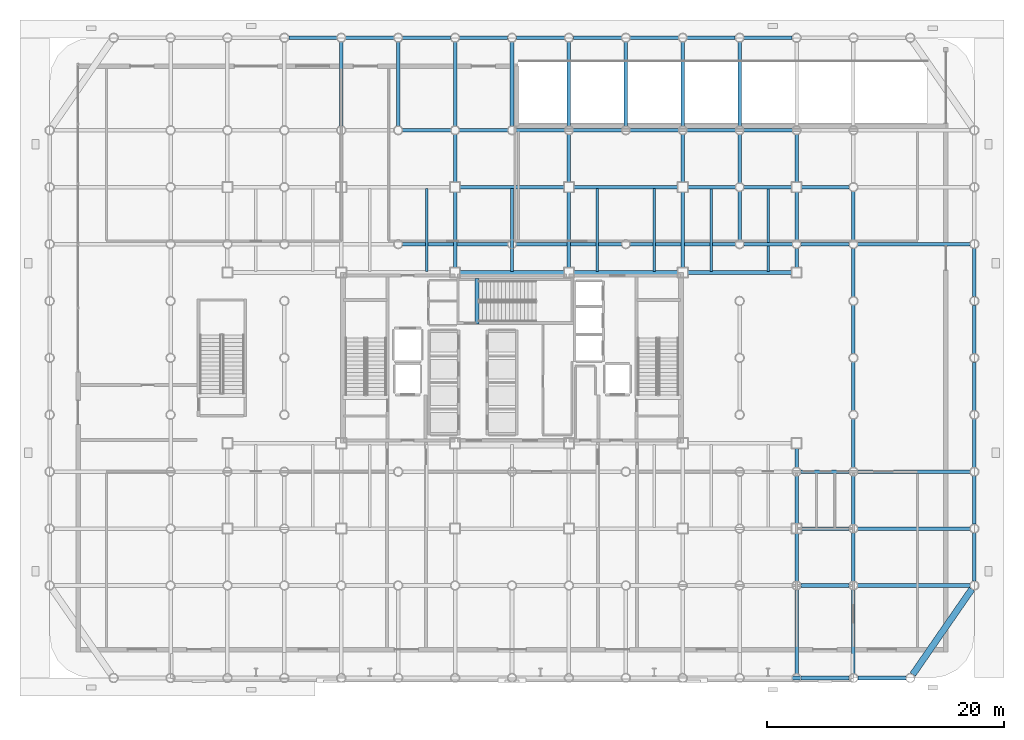
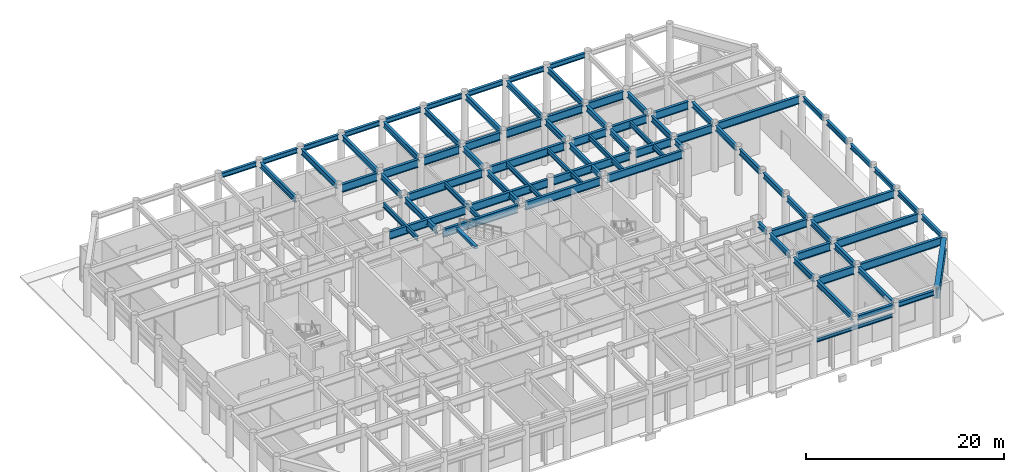
# One storey, part 13 of 23: 84 beams.
"""IFC4 building model written with IfcOpenShell, lengths in metres."""

from ifc_helpers import new_model, si_unit, direction, frame, origin, origin_2d, place, context, subcontext, project, spatial, rectangle, i_section, extrude, material, material_profile, profile_set, type_object, element, save


model = new_model("IFC4")

# Units and contexts
model_context = context("Model", 3, precision=1e-05, world=origin(), true_north=direction((0.0, 1.0)))
body_context = subcontext(model_context, "Body", "Model", "MODEL_VIEW")
ifc_project = project(units=[si_unit("LENGTHUNIT", "METRE"), si_unit("AREAUNIT", "SQUARE_METRE"), si_unit("VOLUMEUNIT", "CUBIC_METRE"), si_unit("PLANEANGLEUNIT", "RADIAN"), si_unit("MASSUNIT", "GRAM", prefix="KILO")], contexts=[model_context])

# Site, building, storey
site_placement = place(None, origin())
site = spatial("IfcSite", under=ifc_project, at=site_placement, CompositionType="ELEMENT")
building_placement = place(site_placement, origin())
building = spatial("IfcBuilding", under=site, at=building_placement, Name="Kallvorn Hotel Tower", CompositionType="ELEMENT")
storey_placement = place(building_placement, origin())
storey = spatial("IfcBuildingStorey", under=building, at=storey_placement, Name="L00", CompositionType="ELEMENT", Elevation=0.0)

# Beams
ifc_material_1 = material(Name="Structural steel S355JR", Category="steel")
ifc_material_profile_1 = material_profile(ifc_material_1, i_section(OverallWidth=0.300048828125, OverallDepth=1.0, WebThickness=0.01904296875, FlangeThickness=0.035888671875, at=origin_2d()), Name="HE 1000 B")
ifc_profile_set_1 = profile_set([ifc_material_profile_1], Name="Structural steel S355JR")
beam_type_1 = type_object("IfcBeamType", Name="BM_HE1000B", PredefinedType="BEAM", material=ifc_profile_set_1)
beam_1_placement = place(storey_placement, frame((24.35595703125, -19.199951171875, 5.25), z_axis=(1.0, 0.0, 0.0), x_axis=(0.0, 1.0, 0.0)))
element("IfcBeam", 1, at=beam_1_placement, inside=storey, type_object=beam_type_1, Name="L01 Primary X-Girder 13", PredefinedType="BEAM", context=body_context, shape_type="SweptSolid", body=[
    extrude(i_section(OverallWidth=0.300048828125, OverallDepth=1.0, WebThickness=0.01904296875, FlangeThickness=0.035888671875, at=origin_2d()), origin(), (0.0, 0.0, 1.0), 4.088134765625),
])
beam_2_placement = place(storey_placement, frame((29.156005859375, -19.199951171875, 5.25), z_axis=(1.0, 0.0, 0.0), x_axis=(0.0, 1.0, 0.0)))
element("IfcBeam", 2, at=beam_2_placement, inside=storey, type_object=beam_type_1, Name="L01 Primary X-Girder 14", PredefinedType="BEAM", context=body_context, shape_type="SweptSolid", body=[
    extrude(i_section(OverallWidth=0.300048828125, OverallDepth=1.0, WebThickness=0.01904296875, FlangeThickness=0.035888671875, at=origin_2d()), origin(), (0.0, 0.0, 1.0), 9.488037109375),
])
beam_3_placement = place(storey_placement, frame((24.425048828125, -14.39990234375, 5.25), z_axis=(1.0, 0.0, 0.0), x_axis=(0.0, 1.0, 0.0)))
element("IfcBeam", 3, at=beam_3_placement, inside=storey, type_object=beam_type_1, Name="L01 Primary X-Girder 24", PredefinedType="BEAM", context=body_context, shape_type="SweptSolid", body=[
    extrude(i_section(OverallWidth=0.300048828125, OverallDepth=1.0, WebThickness=0.01904296875, FlangeThickness=0.035888671875, at=origin_2d()), origin(), (0.0, 0.0, 1.0), 4.01904296875),
])
beam_4_placement = place(storey_placement, frame((29.156005859375, -14.39990234375, 5.25), z_axis=(1.0, 0.0, 0.0), x_axis=(0.0, 1.0, 0.0)))
element("IfcBeam", 4, at=beam_4_placement, inside=storey, type_object=beam_type_1, Name="L01 Primary X-Girder 25", PredefinedType="BEAM", context=body_context, shape_type="SweptSolid", body=[
    extrude(i_section(OverallWidth=0.300048828125, OverallDepth=1.0, WebThickness=0.01904296875, FlangeThickness=0.035888671875, at=origin_2d()), origin(), (0.0, 0.0, 1.0), 9.488037109375),
])
beam_5_placement = place(storey_placement, frame((24.35595703125, -9.60009765625, 5.25), z_axis=(1.0, 0.0, 0.0), x_axis=(0.0, 1.0, 0.0)))
element("IfcBeam", 5, at=beam_5_placement, inside=storey, type_object=beam_type_1, Name="L01 Primary X-Girder 34", PredefinedType="BEAM", context=body_context, shape_type="SweptSolid", body=[
    extrude(i_section(OverallWidth=0.300048828125, OverallDepth=1.0, WebThickness=0.01904296875, FlangeThickness=0.035888671875, at=origin_2d()), origin(), (0.0, 0.0, 1.0), 4.088134765625),
])
beam_6_placement = place(storey_placement, frame((29.156005859375, -9.60009765625, 5.25), z_axis=(1.0, 0.0, 0.0), x_axis=(0.0, 1.0, 0.0)))
element("IfcBeam", 6, at=beam_6_placement, inside=storey, type_object=beam_type_1, Name="L01 Primary X-Girder 35", PredefinedType="BEAM", context=body_context, shape_type="SweptSolid", body=[
    extrude(i_section(OverallWidth=0.300048828125, OverallDepth=1.0, WebThickness=0.01904296875, FlangeThickness=0.035888671875, at=origin_2d()), origin(), (0.0, 0.0, 1.0), 9.488037109375),
])
for number, where, z_axis, x_axis, name in (
    (7, (-4.375, 7.199951171875, 5.25), (1.0, 0.0, 0.0), (0.0, 1.0, 0.0), "L01 Primary X-Girder 42"),
    (8, (5.22509765625, 7.199951171875, 5.25), (1.0, 0.0, 0.0), (0.0, 1.0, 0.0), "L01 Primary X-Girder 43"),
    (9, (14.824951171875, 7.199951171875, 5.25), (1.0, 0.0, 0.0), (0.0, 1.0, 0.0), "L01 Primary X-Girder 44"),
):
    element("IfcBeam", number, at=place(storey_placement, frame(where, z_axis=z_axis, x_axis=x_axis)), inside=storey, type_object=beam_type_1, Name=name, PredefinedType="BEAM", context=body_context, shape_type="SweptSolid", body=[
        extrude(i_section(OverallWidth=0.300048828125, OverallDepth=1.0, WebThickness=0.01904296875, FlangeThickness=0.035888671875, at=origin_2d()), origin(), (0.0, 0.0, 1.0), 8.75),
    ])
for number, where, z_axis, x_axis, name in (
    (10, (-9.243896484375, 9.60009765625, 5.25), (1.0, 0.0, 0.0), (0.0, 1.0, 0.0), "L01 Primary X-Girder 49"),
    (11, (0.35595703125, 9.60009765625, 5.25), (1.0, 0.0, 0.0), (0.0, 1.0, 0.0), "L01 Primary X-Girder 50"),
    (12, (9.9560546875, 9.60009765625, 5.25), (1.0, 0.0, 0.0), (0.0, 1.0, 0.0), "L01 Primary X-Girder 51"),
):
    element("IfcBeam", number, at=place(storey_placement, frame(where, z_axis=z_axis, x_axis=x_axis)), inside=storey, type_object=beam_type_1, Name=name, PredefinedType="BEAM", context=body_context, shape_type="SweptSolid", body=[
        extrude(i_section(OverallWidth=0.300048828125, OverallDepth=1.0, WebThickness=0.01904296875, FlangeThickness=0.035888671875, at=origin_2d()), origin(), (0.0, 0.0, 1.0), 8.887939453125),
    ])
for number, where, z_axis, x_axis, name in (
    (13, (19.555908203125, 9.60009765625, 5.25), (1.0, 0.0, 0.0), (0.0, 1.0, 0.0), "L01 Primary X-Girder 52"),
    (14, (24.35595703125, 9.60009765625, 5.25), (1.0, 0.0, 0.0), (0.0, 1.0, 0.0), "L01 Primary X-Girder 53"),
):
    element("IfcBeam", number, at=place(storey_placement, frame(where, z_axis=z_axis, x_axis=x_axis)), inside=storey, type_object=beam_type_1, Name=name, PredefinedType="BEAM", context=body_context, shape_type="SweptSolid", body=[
        extrude(i_section(OverallWidth=0.300048828125, OverallDepth=1.0, WebThickness=0.01904296875, FlangeThickness=0.035888671875, at=origin_2d()), origin(), (0.0, 0.0, 1.0), 4.088134765625),
    ])
beam_7_placement = place(storey_placement, frame((29.156005859375, 9.60009765625, 5.25), z_axis=(1.0, 0.0, 0.0), x_axis=(0.0, 1.0, 0.0)))
element("IfcBeam", 15, at=beam_7_placement, inside=storey, type_object=beam_type_1, Name="L01 Primary X-Girder 54", PredefinedType="BEAM", context=body_context, shape_type="SweptSolid", body=[
    extrude(i_section(OverallWidth=0.300048828125, OverallDepth=1.0, WebThickness=0.01904296875, FlangeThickness=0.035888671875, at=origin_2d()), origin(), (0.0, 0.0, 1.0), 9.488037109375),
])
for number, where, z_axis, x_axis, name in (
    (16, (-4.375, 14.39990234375, 5.25), (1.0, 0.0, 0.0), (0.0, 1.0, 0.0), "L01 Primary X-Girder 60"),
    (17, (5.22509765625, 14.39990234375, 5.25), (1.0, 0.0, 0.0), (0.0, 1.0, 0.0), "L01 Primary X-Girder 61"),
):
    element("IfcBeam", number, at=place(storey_placement, frame(where, z_axis=z_axis, x_axis=x_axis)), inside=storey, type_object=beam_type_1, Name=name, PredefinedType="BEAM", context=body_context, shape_type="SweptSolid", body=[
        extrude(i_section(OverallWidth=0.300048828125, OverallDepth=1.0, WebThickness=0.01904296875, FlangeThickness=0.035888671875, at=origin_2d()), origin(), (0.0, 0.0, 1.0), 8.75),
    ])
for number, where, z_axis, x_axis, name in (
    (18, (14.824951171875, 14.39990234375, 5.25), (1.0, 0.0, 0.0), (0.0, 1.0, 0.0), "L01 Primary X-Girder 62"),
    (19, (19.555908203125, 14.39990234375, 5.25), (1.0, 0.0, 0.0), (0.0, 1.0, 0.0), "L01 Primary X-Girder 63"),
    (20, (24.425048828125, 14.39990234375, 5.25), (1.0, 0.0, 0.0), (0.0, 1.0, 0.0), "L01 Primary X-Girder 64"),
):
    element("IfcBeam", number, at=place(storey_placement, frame(where, z_axis=z_axis, x_axis=x_axis)), inside=storey, type_object=beam_type_1, Name=name, PredefinedType="BEAM", context=body_context, shape_type="SweptSolid", body=[
        extrude(i_section(OverallWidth=0.300048828125, OverallDepth=1.0, WebThickness=0.01904296875, FlangeThickness=0.035888671875, at=origin_2d()), origin(), (0.0, 0.0, 1.0), 4.01904296875),
    ])
beam_8_placement = place(storey_placement, frame((-9.243896484375, 19.199951171875, 5.25), z_axis=(1.0, 0.0, 0.0), x_axis=(0.0, 1.0, 0.0)))
element("IfcBeam", 21, at=beam_8_placement, inside=storey, type_object=beam_type_1, Name="L01 Primary X-Girder 71", PredefinedType="BEAM", context=body_context, shape_type="SweptSolid", body=[
    extrude(i_section(OverallWidth=0.300048828125, OverallDepth=1.0, WebThickness=0.01904296875, FlangeThickness=0.035888671875, at=origin_2d()), origin(), (0.0, 0.0, 1.0), 4.087890625),
])
for number, where, z_axis, x_axis, name in (
    (22, (-4.444091796875, 19.199951171875, 5.25), (1.0, 0.0, 0.0), (0.0, 1.0, 0.0), "L01 Primary X-Girder 72"),
    (23, (0.35595703125, 19.199951171875, 5.25), (1.0, 0.0, 0.0), (0.0, 1.0, 0.0), "L01 Primary X-Girder 73"),
):
    element("IfcBeam", number, at=place(storey_placement, frame(where, z_axis=z_axis, x_axis=x_axis)), inside=storey, type_object=beam_type_1, Name=name, PredefinedType="BEAM", context=body_context, shape_type="SweptSolid", body=[
        extrude(i_section(OverallWidth=0.300048828125, OverallDepth=1.0, WebThickness=0.01904296875, FlangeThickness=0.035888671875, at=origin_2d()), origin(), (0.0, 0.0, 1.0), 4.088134765625),
    ])
for number, where, z_axis, x_axis, name in (
    (24, (5.156005859375, 19.199951171875, 5.25), (1.0, 0.0, 0.0), (0.0, 1.0, 0.0), "L01 Primary X-Girder 74"),
    (25, (9.9560546875, 19.199951171875, 5.25), (1.0, 0.0, 0.0), (0.0, 1.0, 0.0), "L01 Primary X-Girder 75"),
    (26, (14.756103515625, 19.199951171875, 5.25), (1.0, 0.0, 0.0), (0.0, 1.0, 0.0), "L01 Primary X-Girder 76"),
):
    element("IfcBeam", number, at=place(storey_placement, frame(where, z_axis=z_axis, x_axis=x_axis)), inside=storey, type_object=beam_type_1, Name=name, PredefinedType="BEAM", context=body_context, shape_type="SweptSolid", body=[
        extrude(i_section(OverallWidth=0.300048828125, OverallDepth=1.0, WebThickness=0.01904296875, FlangeThickness=0.035888671875, at=origin_2d()), origin(), (0.0, 0.0, 1.0), 4.087890625),
    ])
beam_9_placement = place(storey_placement, frame((19.555908203125, 19.199951171875, 5.25), z_axis=(1.0, 0.0, 0.0), x_axis=(0.0, 1.0, 0.0)))
element("IfcBeam", 27, at=beam_9_placement, inside=storey, type_object=beam_type_1, Name="L01 Primary X-Girder 77", PredefinedType="BEAM", context=body_context, shape_type="SweptSolid", body=[
    extrude(i_section(OverallWidth=0.300048828125, OverallDepth=1.0, WebThickness=0.01904296875, FlangeThickness=0.035888671875, at=origin_2d()), origin(), (0.0, 0.0, 1.0), 4.088134765625),
])
ifc_material_2 = material(Name="Structural steel S355JR", Category="steel")
ifc_material_profile_2 = material_profile(ifc_material_2, i_section(OverallWidth=0.300048828125, OverallDepth=0.43994140625, WebThickness=0.011474609375, FlangeThickness=0.02099609375, at=origin_2d()), Name="HE 450 A")
ifc_profile_set_2 = profile_set([ifc_material_profile_2], Name="Structural steel S355JR")
beam_type_2 = type_object("IfcBeamType", Name="BM_HE450A", PredefinedType="BEAM", material=ifc_profile_set_2)
beam_10_placement = place(storey_placement, frame((19.56005859375, -27.0, 4.3798828125), z_axis=(1.0, 0.0, 0.0), x_axis=(0.0, 1.0, 0.0)))
element("IfcBeam", 28, at=beam_10_placement, inside=storey, type_object=beam_type_2, Name="L00 Entrance Canopy Girder 6", PredefinedType="BEAM", context=body_context, shape_type="SweptSolid", body=[
    extrude(i_section(OverallWidth=0.300048828125, OverallDepth=0.43994140625, WebThickness=0.011474609375, FlangeThickness=0.02099609375, at=origin_2d()), origin(), (0.0, 0.0, 1.0), 8.8798828125),
])
ifc_material_3 = material(Name="Structural steel S355JR", Category="steel")
ifc_material_profile_3 = material_profile(ifc_material_3, i_section(OverallWidth=0.300048828125, OverallDepth=0.60009765625, WebThickness=0.015380859375, FlangeThickness=0.030029296875, at=origin_2d()), Name="HE 600 B")
ifc_profile_set_3 = profile_set([ifc_material_profile_3], Name="Structural steel S355JR")
beam_type_3 = type_object("IfcBeamType", Name="BM_HE600B", PredefinedType="SPANDREL", material=ifc_profile_set_3)
beam_11_placement = place(storey_placement, frame((24.37109375, -27.0, 5.449951171875), z_axis=(1.0, 0.0, 0.0), x_axis=(0.0, 1.0, 0.0)))
element("IfcBeam", 29, at=beam_11_placement, inside=storey, type_object=beam_type_3, Name="L01 Perimeter Spandrel 184", PredefinedType="SPANDREL", context=body_context, shape_type="SweptSolid", body=[
    extrude(i_section(OverallWidth=0.300048828125, OverallDepth=0.60009765625, WebThickness=0.015380859375, FlangeThickness=0.030029296875, at=origin_2d()), origin(), (0.0, 0.0, 1.0), 4.057861328125),
])
for number, where, z_axis, x_axis, name in (
    (30, (29.1708984375, -27.0, 5.449951171875), (1.0, 0.0, 0.0), (0.0, 1.0, 0.0), "L01 Perimeter Spandrel 185"),
    (31, (-18.8291015625, 27.0, 5.449951171875), (1.0, 0.0, 0.0), (0.0, 1.0, 0.0), "L01 Perimeter Spandrel 189"),
    (32, (-14.029052734375, 27.0, 5.449951171875), (1.0, 0.0, 0.0), (0.0, 1.0, 0.0), "L01 Perimeter Spandrel 190"),
    (33, (-9.22900390625, 27.0, 5.449951171875), (1.0, 0.0, 0.0), (0.0, 1.0, 0.0), "L01 Perimeter Spandrel 191"),
):
    element("IfcBeam", number, at=place(storey_placement, frame(where, z_axis=z_axis, x_axis=x_axis)), inside=storey, type_object=beam_type_3, Name=name, PredefinedType="SPANDREL", context=body_context, shape_type="SweptSolid", body=[
        extrude(i_section(OverallWidth=0.300048828125, OverallDepth=0.60009765625, WebThickness=0.015380859375, FlangeThickness=0.030029296875, at=origin_2d()), origin(), (0.0, 0.0, 1.0), 4.05810546875),
    ])
for number, where, z_axis, x_axis, name in (
    (34, (-4.428955078125, 27.0, 5.449951171875), (1.0, 0.0, 0.0), (0.0, 1.0, 0.0), "L01 Perimeter Spandrel 192"),
    (35, (0.37109375, 27.0, 5.449951171875), (1.0, 0.0, 0.0), (0.0, 1.0, 0.0), "L01 Perimeter Spandrel 193"),
):
    element("IfcBeam", number, at=place(storey_placement, frame(where, z_axis=z_axis, x_axis=x_axis)), inside=storey, type_object=beam_type_3, Name=name, PredefinedType="SPANDREL", context=body_context, shape_type="SweptSolid", body=[
        extrude(i_section(OverallWidth=0.300048828125, OverallDepth=0.60009765625, WebThickness=0.015380859375, FlangeThickness=0.030029296875, at=origin_2d()), origin(), (0.0, 0.0, 1.0), 4.057861328125),
    ])
for number, where, z_axis, x_axis, name in (
    (36, (5.1708984375, 27.0, 5.449951171875), (1.0, 0.0, 0.0), (0.0, 1.0, 0.0), "L01 Perimeter Spandrel 194"),
    (37, (9.970947265625, 27.0, 5.449951171875), (1.0, 0.0, 0.0), (0.0, 1.0, 0.0), "L01 Perimeter Spandrel 195"),
    (38, (14.77099609375, 27.0, 5.449951171875), (1.0, 0.0, 0.0), (0.0, 1.0, 0.0), "L01 Perimeter Spandrel 196"),
):
    element("IfcBeam", number, at=place(storey_placement, frame(where, z_axis=z_axis, x_axis=x_axis)), inside=storey, type_object=beam_type_3, Name=name, PredefinedType="SPANDREL", context=body_context, shape_type="SweptSolid", body=[
        extrude(i_section(OverallWidth=0.300048828125, OverallDepth=0.60009765625, WebThickness=0.015380859375, FlangeThickness=0.030029296875, at=origin_2d()), origin(), (0.0, 0.0, 1.0), 4.05810546875),
    ])
beam_12_placement = place(storey_placement, frame((19.571044921875, 27.0, 5.449951171875), z_axis=(1.0, 0.0, 0.0), x_axis=(0.0, 1.0, 0.0)))
element("IfcBeam", 39, at=beam_12_placement, inside=storey, type_object=beam_type_3, Name="L01 Perimeter Spandrel 197", PredefinedType="SPANDREL", context=body_context, shape_type="SweptSolid", body=[
    extrude(i_section(OverallWidth=0.300048828125, OverallDepth=0.60009765625, WebThickness=0.015380859375, FlangeThickness=0.030029296875, at=origin_2d()), origin(), (0.0, 0.0, 1.0), 4.057861328125),
])
for number, where, z_axis, x_axis, name in (
    (40, (39.0, -18.8291015625, 5.449951171875), (0.0, 1.0, 0.0), (-1.0, 0.0, 0.0), "L01 Perimeter Spandrel 208"),
    (41, (39.0, -14.029052734375, 5.449951171875), (0.0, 1.0, 0.0), (-1.0, 0.0, 0.0), "L01 Perimeter Spandrel 209"),
    (42, (39.0, -9.22900390625, 5.449951171875), (0.0, 1.0, 0.0), (-1.0, 0.0, 0.0), "L01 Perimeter Spandrel 210"),
):
    element("IfcBeam", number, at=place(storey_placement, frame(where, z_axis=z_axis, x_axis=x_axis)), inside=storey, type_object=beam_type_3, Name=name, PredefinedType="SPANDREL", context=body_context, shape_type="SweptSolid", body=[
        extrude(i_section(OverallWidth=0.300048828125, OverallDepth=0.60009765625, WebThickness=0.015380859375, FlangeThickness=0.030029296875, at=origin_2d()), origin(), (0.0, 0.0, 1.0), 4.05810546875),
    ])
for number, where, z_axis, x_axis, name in (
    (43, (39.0, -4.428955078125, 5.449951171875), (0.0, 1.0, 0.0), (-1.0, 0.0, 0.0), "L01 Perimeter Spandrel 211"),
    (44, (39.0, 0.37109375, 5.449951171875), (0.0, 1.0, 0.0), (-1.0, 0.0, 0.0), "L01 Perimeter Spandrel 212"),
):
    element("IfcBeam", number, at=place(storey_placement, frame(where, z_axis=z_axis, x_axis=x_axis)), inside=storey, type_object=beam_type_3, Name=name, PredefinedType="SPANDREL", context=body_context, shape_type="SweptSolid", body=[
        extrude(i_section(OverallWidth=0.300048828125, OverallDepth=0.60009765625, WebThickness=0.015380859375, FlangeThickness=0.030029296875, at=origin_2d()), origin(), (0.0, 0.0, 1.0), 4.057861328125),
    ])
beam_13_placement = place(storey_placement, frame((39.0, 5.1708984375, 5.449951171875), z_axis=(0.0, 1.0, 0.0), x_axis=(-1.0, 0.0, 0.0)))
element("IfcBeam", 45, at=beam_13_placement, inside=storey, type_object=beam_type_3, Name="L01 Perimeter Spandrel 213", PredefinedType="SPANDREL", context=body_context, shape_type="SweptSolid", body=[
    extrude(i_section(OverallWidth=0.300048828125, OverallDepth=0.60009765625, WebThickness=0.015380859375, FlangeThickness=0.030029296875, at=origin_2d()), origin(), (0.0, 0.0, 1.0), 4.05810546875),
])
ifc_material_4 = material(Name="Structural steel S355JR", Category="steel")
ifc_material_profile_4 = material_profile(ifc_material_4, i_section(OverallWidth=0.300048828125, OverallDepth=0.699951171875, WebThickness=0.01708984375, FlangeThickness=0.031982421875, at=origin_2d()), Name="HE 700 B")
ifc_profile_set_4 = profile_set([ifc_material_profile_4], Name="Structural steel S355JR")
beam_type_4 = type_object("IfcBeamType", Name="BM_HE700B", PredefinedType="BEAM", material=ifc_profile_set_4)
for number, where, z_axis, x_axis, name in (
    (46, (-14.39990234375, 19.555908203125, 5.39990234375), (0.0, 1.0, 0.0), (-1.0, 0.0, 0.0), "L01 Primary Y-Girder 113"),
    (47, (-9.60009765625, 19.555908203125, 5.39990234375), (0.0, 1.0, 0.0), (-1.0, 0.0, 0.0), "L01 Primary Y-Girder 117"),
):
    element("IfcBeam", number, at=place(storey_placement, frame(where, z_axis=z_axis, x_axis=x_axis)), inside=storey, type_object=beam_type_4, Name=name, PredefinedType="BEAM", context=body_context, shape_type="SweptSolid", body=[
        extrude(i_section(OverallWidth=0.300048828125, OverallDepth=0.699951171875, WebThickness=0.01708984375, FlangeThickness=0.031982421875, at=origin_2d()), origin(), (0.0, 0.0, 1.0), 7.088134765625),
    ])
beam_14_placement = place(storey_placement, frame((-4.800048828125, 7.625, 5.39990234375), z_axis=(0.0, 1.0, 0.0), x_axis=(-1.0, 0.0, 0.0)))
element("IfcBeam", 48, at=beam_14_placement, inside=storey, type_object=beam_type_4, Name="L01 Primary Y-Girder 121", PredefinedType="BEAM", context=body_context, shape_type="SweptSolid", body=[
    extrude(i_section(OverallWidth=0.300048828125, OverallDepth=0.699951171875, WebThickness=0.01708984375, FlangeThickness=0.031982421875, at=origin_2d()), origin(), (0.0, 0.0, 1.0), 6.35009765625),
])
beam_15_placement = place(storey_placement, frame((-4.800048828125, 14.824951171875, 5.39990234375), z_axis=(0.0, 1.0, 0.0), x_axis=(-1.0, 0.0, 0.0)))
element("IfcBeam", 49, at=beam_15_placement, inside=storey, type_object=beam_type_4, Name="L01 Primary Y-Girder 122", PredefinedType="BEAM", context=body_context, shape_type="SweptSolid", body=[
    extrude(i_section(OverallWidth=0.300048828125, OverallDepth=0.699951171875, WebThickness=0.01708984375, FlangeThickness=0.031982421875, at=origin_2d()), origin(), (0.0, 0.0, 1.0), 4.01904296875),
])
for number, where, z_axis, x_axis, name in (
    (50, (-4.800048828125, 19.555908203125, 5.39990234375), (0.0, 1.0, 0.0), (-1.0, 0.0, 0.0), "L01 Primary Y-Girder 123"),
    (51, (0.0, 19.555908203125, 5.39990234375), (0.0, 1.0, 0.0), (-1.0, 0.0, 0.0), "L01 Primary Y-Girder 127"),
):
    element("IfcBeam", number, at=place(storey_placement, frame(where, z_axis=z_axis, x_axis=x_axis)), inside=storey, type_object=beam_type_4, Name=name, PredefinedType="BEAM", context=body_context, shape_type="SweptSolid", body=[
        extrude(i_section(OverallWidth=0.300048828125, OverallDepth=0.699951171875, WebThickness=0.01708984375, FlangeThickness=0.031982421875, at=origin_2d()), origin(), (0.0, 0.0, 1.0), 7.088134765625),
    ])
beam_16_placement = place(storey_placement, frame((4.800048828125, 7.625, 5.39990234375), z_axis=(0.0, 1.0, 0.0), x_axis=(-1.0, 0.0, 0.0)))
element("IfcBeam", 52, at=beam_16_placement, inside=storey, type_object=beam_type_4, Name="L01 Primary Y-Girder 131", PredefinedType="BEAM", context=body_context, shape_type="SweptSolid", body=[
    extrude(i_section(OverallWidth=0.300048828125, OverallDepth=0.699951171875, WebThickness=0.01708984375, FlangeThickness=0.031982421875, at=origin_2d()), origin(), (0.0, 0.0, 1.0), 6.35009765625),
])
beam_17_placement = place(storey_placement, frame((4.800048828125, 14.824951171875, 5.39990234375), z_axis=(0.0, 1.0, 0.0), x_axis=(-1.0, 0.0, 0.0)))
element("IfcBeam", 53, at=beam_17_placement, inside=storey, type_object=beam_type_4, Name="L01 Primary Y-Girder 132", PredefinedType="BEAM", context=body_context, shape_type="SweptSolid", body=[
    extrude(i_section(OverallWidth=0.300048828125, OverallDepth=0.699951171875, WebThickness=0.01708984375, FlangeThickness=0.031982421875, at=origin_2d()), origin(), (0.0, 0.0, 1.0), 4.01904296875),
])
for number, where, z_axis, x_axis, name in (
    (54, (4.800048828125, 19.555908203125, 5.39990234375), (0.0, 1.0, 0.0), (-1.0, 0.0, 0.0), "L01 Primary Y-Girder 133"),
    (55, (9.60009765625, 19.555908203125, 5.39990234375), (0.0, 1.0, 0.0), (-1.0, 0.0, 0.0), "L01 Primary Y-Girder 137"),
):
    element("IfcBeam", number, at=place(storey_placement, frame(where, z_axis=z_axis, x_axis=x_axis)), inside=storey, type_object=beam_type_4, Name=name, PredefinedType="BEAM", context=body_context, shape_type="SweptSolid", body=[
        extrude(i_section(OverallWidth=0.300048828125, OverallDepth=0.699951171875, WebThickness=0.01708984375, FlangeThickness=0.031982421875, at=origin_2d()), origin(), (0.0, 0.0, 1.0), 7.088134765625),
    ])
beam_18_placement = place(storey_placement, frame((14.39990234375, 7.625, 5.39990234375), z_axis=(0.0, 1.0, 0.0), x_axis=(-1.0, 0.0, 0.0)))
element("IfcBeam", 56, at=beam_18_placement, inside=storey, type_object=beam_type_4, Name="L01 Primary Y-Girder 141", PredefinedType="BEAM", context=body_context, shape_type="SweptSolid", body=[
    extrude(i_section(OverallWidth=0.300048828125, OverallDepth=0.699951171875, WebThickness=0.01708984375, FlangeThickness=0.031982421875, at=origin_2d()), origin(), (0.0, 0.0, 1.0), 6.35009765625),
])
beam_19_placement = place(storey_placement, frame((14.39990234375, 14.824951171875, 5.39990234375), z_axis=(0.0, 1.0, 0.0), x_axis=(-1.0, 0.0, 0.0)))
element("IfcBeam", 57, at=beam_19_placement, inside=storey, type_object=beam_type_4, Name="L01 Primary Y-Girder 142", PredefinedType="BEAM", context=body_context, shape_type="SweptSolid", body=[
    extrude(i_section(OverallWidth=0.300048828125, OverallDepth=0.699951171875, WebThickness=0.01708984375, FlangeThickness=0.031982421875, at=origin_2d()), origin(), (0.0, 0.0, 1.0), 4.01904296875),
])
beam_20_placement = place(storey_placement, frame((14.39990234375, 19.555908203125, 5.39990234375), z_axis=(0.0, 1.0, 0.0), x_axis=(-1.0, 0.0, 0.0)))
element("IfcBeam", 58, at=beam_20_placement, inside=storey, type_object=beam_type_4, Name="L01 Primary Y-Girder 143", PredefinedType="BEAM", context=body_context, shape_type="SweptSolid", body=[
    extrude(i_section(OverallWidth=0.300048828125, OverallDepth=0.699951171875, WebThickness=0.01708984375, FlangeThickness=0.031982421875, at=origin_2d()), origin(), (0.0, 0.0, 1.0), 7.088134765625),
])
for number, where, z_axis, x_axis, name in (
    (59, (19.199951171875, 9.9560546875, 5.39990234375), (0.0, 1.0, 0.0), (-1.0, 0.0, 0.0), "L01 Primary Y-Girder 151"),
    (60, (19.199951171875, 14.756103515625, 5.39990234375), (0.0, 1.0, 0.0), (-1.0, 0.0, 0.0), "L01 Primary Y-Girder 152"),
):
    element("IfcBeam", number, at=place(storey_placement, frame(where, z_axis=z_axis, x_axis=x_axis)), inside=storey, type_object=beam_type_4, Name=name, PredefinedType="BEAM", context=body_context, shape_type="SweptSolid", body=[
        extrude(i_section(OverallWidth=0.300048828125, OverallDepth=0.699951171875, WebThickness=0.01708984375, FlangeThickness=0.031982421875, at=origin_2d()), origin(), (0.0, 0.0, 1.0), 4.087890625),
    ])
for number, where, z_axis, x_axis, name in (
    (61, (19.199951171875, 19.555908203125, 5.39990234375), (0.0, 1.0, 0.0), (-1.0, 0.0, 0.0), "L01 Primary Y-Girder 153"),
    (62, (24.0, -26.64404296875, 5.39990234375), (0.0, 1.0, 0.0), (-1.0, 0.0, 0.0), "L01 Primary Y-Girder 154"),
):
    element("IfcBeam", number, at=place(storey_placement, frame(where, z_axis=z_axis, x_axis=x_axis)), inside=storey, type_object=beam_type_4, Name=name, PredefinedType="BEAM", context=body_context, shape_type="SweptSolid", body=[
        extrude(i_section(OverallWidth=0.300048828125, OverallDepth=0.699951171875, WebThickness=0.01708984375, FlangeThickness=0.031982421875, at=origin_2d()), origin(), (0.0, 0.0, 1.0), 7.088134765625),
    ])
for number, where, z_axis, x_axis, name in (
    (63, (24.0, -18.843994140625, 5.39990234375), (0.0, 1.0, 0.0), (-1.0, 0.0, 0.0), "L01 Primary Y-Girder 155"),
    (64, (24.0, -13.97509765625, 5.39990234375), (0.0, 1.0, 0.0), (-1.0, 0.0, 0.0), "L01 Primary Y-Girder 156"),
):
    element("IfcBeam", number, at=place(storey_placement, frame(where, z_axis=z_axis, x_axis=x_axis)), inside=storey, type_object=beam_type_4, Name=name, PredefinedType="BEAM", context=body_context, shape_type="SweptSolid", body=[
        extrude(i_section(OverallWidth=0.300048828125, OverallDepth=0.699951171875, WebThickness=0.01708984375, FlangeThickness=0.031982421875, at=origin_2d()), origin(), (0.0, 0.0, 1.0), 4.01904296875),
    ])
for number, where, z_axis, x_axis, name in (
    (65, (24.0, -9.243896484375, 5.39990234375), (0.0, 1.0, 0.0), (-1.0, 0.0, 0.0), "L01 Primary Y-Girder 157"),
    (66, (24.0, 7.625, 5.39990234375), (0.0, 1.0, 0.0), (-1.0, 0.0, 0.0), "L01 Primary Y-Girder 158"),
):
    element("IfcBeam", number, at=place(storey_placement, frame(where, z_axis=z_axis, x_axis=x_axis)), inside=storey, type_object=beam_type_4, Name=name, PredefinedType="BEAM", context=body_context, shape_type="SweptSolid", body=[
        extrude(i_section(OverallWidth=0.300048828125, OverallDepth=0.699951171875, WebThickness=0.01708984375, FlangeThickness=0.031982421875, at=origin_2d()), origin(), (0.0, 0.0, 1.0), 1.618896484375),
    ])
for number, where, z_axis, x_axis, name in (
    (67, (24.0, 9.9560546875, 5.39990234375), (0.0, 1.0, 0.0), (-1.0, 0.0, 0.0), "L01 Primary Y-Girder 159"),
    (68, (24.0, 14.824951171875, 5.39990234375), (0.0, 1.0, 0.0), (-1.0, 0.0, 0.0), "L01 Primary Y-Girder 160"),
):
    element("IfcBeam", number, at=place(storey_placement, frame(where, z_axis=z_axis, x_axis=x_axis)), inside=storey, type_object=beam_type_4, Name=name, PredefinedType="BEAM", context=body_context, shape_type="SweptSolid", body=[
        extrude(i_section(OverallWidth=0.300048828125, OverallDepth=0.699951171875, WebThickness=0.01708984375, FlangeThickness=0.031982421875, at=origin_2d()), origin(), (0.0, 0.0, 1.0), 4.01904296875),
    ])
beam_21_placement = place(storey_placement, frame((28.800048828125, -26.64404296875, 5.39990234375), z_axis=(0.0, 1.0, 0.0), x_axis=(-1.0, 0.0, 0.0)))
element("IfcBeam", 69, at=beam_21_placement, inside=storey, type_object=beam_type_4, Name="L01 Primary Y-Girder 162", PredefinedType="BEAM", context=body_context, shape_type="SweptSolid", body=[
    extrude(i_section(OverallWidth=0.300048828125, OverallDepth=0.699951171875, WebThickness=0.01708984375, FlangeThickness=0.031982421875, at=origin_2d()), origin(), (0.0, 0.0, 1.0), 7.088134765625),
])
for number, where, z_axis, x_axis, name in (
    (70, (28.800048828125, -18.843994140625, 5.39990234375), (0.0, 1.0, 0.0), (-1.0, 0.0, 0.0), "L01 Primary Y-Girder 163"),
    (71, (28.800048828125, -14.0439453125, 5.39990234375), (0.0, 1.0, 0.0), (-1.0, 0.0, 0.0), "L01 Primary Y-Girder 164"),
    (72, (28.800048828125, -9.243896484375, 5.39990234375), (0.0, 1.0, 0.0), (-1.0, 0.0, 0.0), "L01 Primary Y-Girder 165"),
):
    element("IfcBeam", number, at=place(storey_placement, frame(where, z_axis=z_axis, x_axis=x_axis)), inside=storey, type_object=beam_type_4, Name=name, PredefinedType="BEAM", context=body_context, shape_type="SweptSolid", body=[
        extrude(i_section(OverallWidth=0.300048828125, OverallDepth=0.699951171875, WebThickness=0.01708984375, FlangeThickness=0.031982421875, at=origin_2d()), origin(), (0.0, 0.0, 1.0), 4.087890625),
    ])
for number, where, z_axis, x_axis, name in (
    (73, (28.800048828125, -4.444091796875, 5.39990234375), (0.0, 1.0, 0.0), (-1.0, 0.0, 0.0), "L01 Primary Y-Girder 166"),
    (74, (28.800048828125, 0.35595703125, 5.39990234375), (0.0, 1.0, 0.0), (-1.0, 0.0, 0.0), "L01 Primary Y-Girder 167"),
):
    element("IfcBeam", number, at=place(storey_placement, frame(where, z_axis=z_axis, x_axis=x_axis)), inside=storey, type_object=beam_type_4, Name=name, PredefinedType="BEAM", context=body_context, shape_type="SweptSolid", body=[
        extrude(i_section(OverallWidth=0.300048828125, OverallDepth=0.699951171875, WebThickness=0.01708984375, FlangeThickness=0.031982421875, at=origin_2d()), origin(), (0.0, 0.0, 1.0), 4.088134765625),
    ])
for number, where, z_axis, x_axis, name in (
    (75, (28.800048828125, 5.156005859375, 5.39990234375), (0.0, 1.0, 0.0), (-1.0, 0.0, 0.0), "L01 Primary Y-Girder 168"),
    (76, (28.800048828125, 9.9560546875, 5.39990234375), (0.0, 1.0, 0.0), (-1.0, 0.0, 0.0), "L01 Primary Y-Girder 169"),
):
    element("IfcBeam", number, at=place(storey_placement, frame(where, z_axis=z_axis, x_axis=x_axis)), inside=storey, type_object=beam_type_4, Name=name, PredefinedType="BEAM", context=body_context, shape_type="SweptSolid", body=[
        extrude(i_section(OverallWidth=0.300048828125, OverallDepth=0.699951171875, WebThickness=0.01708984375, FlangeThickness=0.031982421875, at=origin_2d()), origin(), (0.0, 0.0, 1.0), 4.087890625),
    ])
ifc_material_5 = material(Name="Structural steel S355JR", Category="steel")
ifc_material_profile_5 = material_profile(ifc_material_5, i_section(OverallWidth=0.219970703125, OverallDepth=0.60009765625, WebThickness=0.011962890625, FlangeThickness=0.01904296875, at=origin_2d()), Name="IPE 600")
ifc_profile_set_5 = profile_set([ifc_material_profile_5], Name="Structural steel S355JR")
beam_type_5 = type_object("IfcBeamType", Name="BM_IPE600", PredefinedType="JOIST", material=ifc_profile_set_5)
for number, where, z_axis, x_axis, name in (
    (77, (-7.199951171875, 7.300048828125, 5.449951171875), (0.0, 1.0, 0.0), (-1.0, 0.0, 0.0), "L01 Secondary Composite Joist 227"),
    (78, (0.0, 7.300048828125, 5.449951171875), (0.0, 1.0, 0.0), (-1.0, 0.0, 0.0), "L01 Secondary Composite Joist 229"),
    (79, (7.199951171875, 7.300048828125, 5.449951171875), (0.0, 1.0, 0.0), (-1.0, 0.0, 0.0), "L01 Secondary Composite Joist 231"),
    (80, (12.0, 7.300048828125, 5.449951171875), (0.0, 1.0, 0.0), (-1.0, 0.0, 0.0), "L01 Secondary Composite Joist 233"),
    (81, (16.800048828125, 7.300048828125, 5.449951171875), (0.0, 1.0, 0.0), (-1.0, 0.0, 0.0), "L01 Secondary Composite Joist 235"),
    (82, (21.60009765625, 7.300048828125, 5.449951171875), (0.0, 1.0, 0.0), (-1.0, 0.0, 0.0), "L01 Secondary Composite Joist 237"),
):
    element("IfcBeam", number, at=place(storey_placement, frame(where, z_axis=z_axis, x_axis=x_axis)), inside=storey, type_object=beam_type_5, Name=name, PredefinedType="JOIST", context=body_context, shape_type="SweptSolid", body=[
        extrude(i_section(OverallWidth=0.219970703125, OverallDepth=0.60009765625, WebThickness=0.011962890625, FlangeThickness=0.01904296875, at=origin_2d()), origin(), (0.0, 0.0, 1.0), 7.0),
    ])
ifc_material_6 = material(Name="Structural steel S355JR", Category="steel")
ifc_material_profile_6 = material_profile(ifc_material_6, i_section(OverallWidth=0.550048828125, OverallDepth=1.39990234375, WebThickness=0.02490234375, FlangeThickness=0.044921875, at=origin_2d()), Name="PG 1400x550x25x45")
ifc_profile_set_6 = profile_set([ifc_material_profile_6], Name="Structural steel S355JR")
beam_type_6 = type_object("IfcBeamType", Name="BM_PG_1400", PredefinedType="BEAM", material=ifc_profile_set_6)
beam_22_placement = place(storey_placement, frame((38.788818359375, -19.5048828125, 5.050048828125), z_axis=(-0.569188202743, -0.82220726697, 0.0), x_axis=(0.82220726697, -0.569188202743, 0.0)))
element("IfcBeam", 83, at=beam_22_placement, inside=storey, type_object=beam_type_6, Name="L01 Rounded Corner Tie Beam 218", PredefinedType="BEAM", context=body_context, shape_type="SweptSolid", body=[
    extrude(i_section(OverallWidth=0.550048828125, OverallDepth=1.39990234375, WebThickness=0.02490234375, FlangeThickness=0.044921875, at=origin_2d()), origin(), (0.0, 0.0, 1.0), 8.744873046875),
])
ifc_material_7 = material(Name="Concrete C50/60", Category="concrete")
ifc_material_profile_7 = material_profile(ifc_material_7, rectangle(XDim=0.360107421875, YDim=0.340087890625, at=origin_2d()), Name="RC 360x340")
ifc_profile_set_7 = profile_set([ifc_material_profile_7], Name="Concrete C50/60")
beam_type_7 = type_object("IfcBeamType", Name="BM_RC_400x360", PredefinedType="BEAM", material=ifc_profile_set_7)
beam_23_placement = place(storey_placement, frame((-2.9599609375, 2.8701171875, 5.580078125), z_axis=(0.0, 1.0, 0.0), x_axis=(-1.0, 0.0, 0.0)))
element("IfcBeam", 84, at=beam_23_placement, inside=storey, type_object=beam_type_7, Name="L01 Stair ST3 Arrival Trimmer Beam", PredefinedType="BEAM", context=body_context, shape_type="SweptSolid", body=[
    extrude(rectangle(XDim=0.360107421875, YDim=0.340087890625, at=origin_2d()), origin(), (0.0, 0.0, 1.0), 3.81982421875),
])

save(model, "model.ifc")
